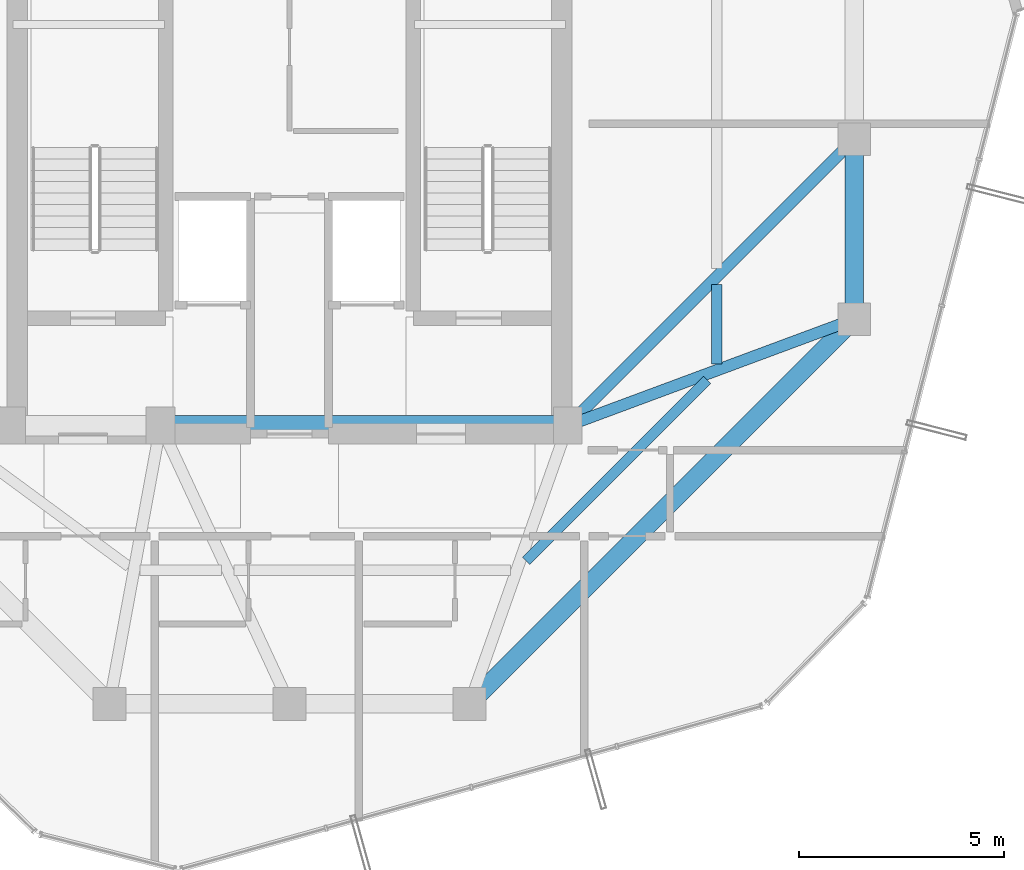
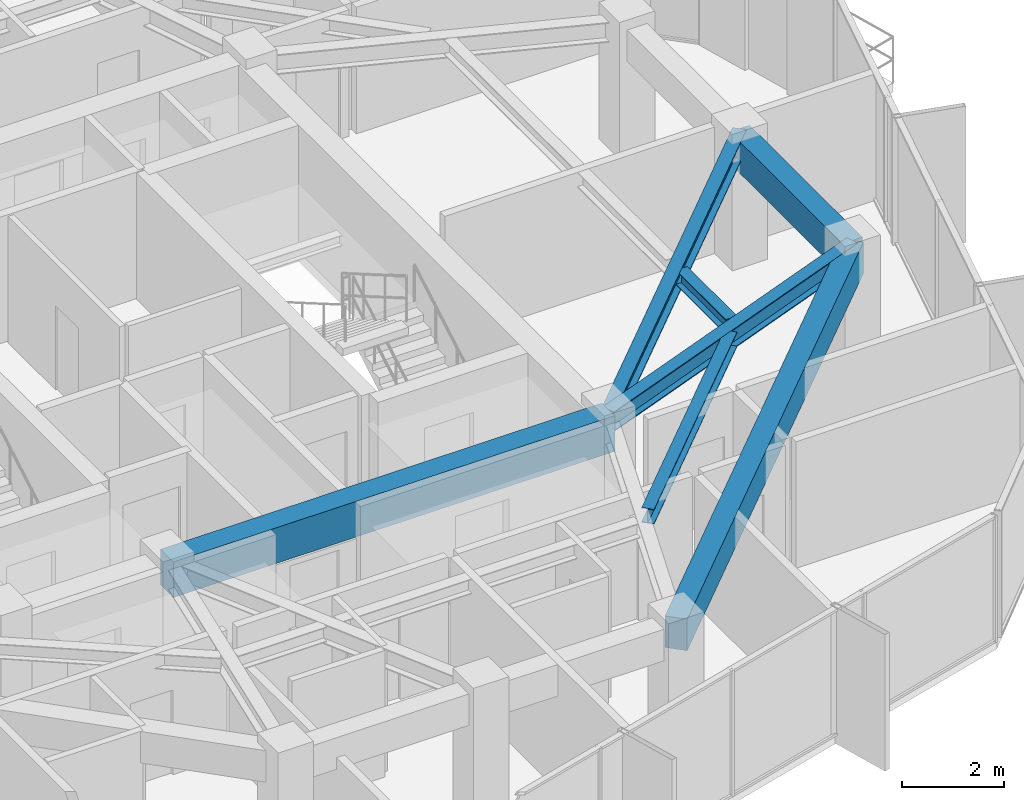
# One storey, part 11 of 29: 7 beams.
"""IFC4 building model written with IfcOpenShell, lengths in metres."""

from ifc_helpers import new_model, si_unit, direction, frame, origin, origin_2d, place, context, subcontext, project, spatial, rectangle, i_section, extrude, material, material_profile, profile_set, type_object, element, save


model = new_model("IFC4")

# Units and contexts
model_context = context("Model", 3, precision=1e-05, world=origin(), true_north=direction((0.0, 1.0)))
body_context = subcontext(model_context, "Body", "Model", "MODEL_VIEW")
ifc_project = project(units=[si_unit("LENGTHUNIT", "METRE"), si_unit("AREAUNIT", "SQUARE_METRE"), si_unit("VOLUMEUNIT", "CUBIC_METRE"), si_unit("PLANEANGLEUNIT", "RADIAN"), si_unit("MASSUNIT", "GRAM", prefix="KILO")], contexts=[model_context])

# Site, building, storey
site_placement = place(None, origin())
site = spatial("IfcSite", under=ifc_project, at=site_placement, CompositionType="ELEMENT")
building_placement = place(site_placement, origin())
building = spatial("IfcBuilding", under=site, at=building_placement, Name="Veraguas Prism Commons", CompositionType="ELEMENT")
storey_placement = place(building_placement, frame((0.0, 0.0, 257.75)))
storey = spatial("IfcBuildingStorey", under=building, at=storey_placement, Name="L73", CompositionType="ELEMENT", Elevation=257.75)

# Beams
ifc_material_1 = material(Name="Concrete C50/60", Category="concrete")
ifc_material_profile_1 = material_profile(ifc_material_1, rectangle(XDim=0.5, YDim=0.85009765625, at=origin_2d()), Name="RC500X850")
ifc_profile_set_1 = profile_set([ifc_material_profile_1], Name="Concrete C50/60")
beam_type_1 = type_object("IfcBeamType", Name="Core Coupling Beam RC 500x850", PredefinedType="BEAM", material=ifc_profile_set_1)
beam_1_placement = place(storey_placement, frame((20.85009765625, 17.0, 2.590087890625), z_axis=(1.0, 0.0, 0.0), x_axis=(0.0, 1.0, 0.0)))
element("IfcBeam", 1, at=beam_1_placement, inside=storey, type_object=beam_type_1, Name="Core Coupling Beam L73-CRS2", PredefinedType="BEAM", context=body_context, shape_type="SweptSolid", body=[
    extrude(rectangle(XDim=0.5, YDim=0.85009765625, at=origin_2d()), origin(), (0.0, 0.0, 1.0), 9.949951171875),
])
ifc_material_profile_2 = material_profile(ifc_material_1, rectangle(XDim=0.449951171875, YDim=0.75, at=origin_2d()), Name="RC450X750")
ifc_profile_set_2 = profile_set([ifc_material_profile_2], Name="Concrete C50/60")
beam_type_2 = type_object("IfcBeamType", Name="Perimeter Spandrel Upper RC 450x750", PredefinedType="SPANDREL", material=ifc_profile_set_2)
beam_2_placement = place(storey_placement, frame((37.800048828125, 19.60009765625, 2.639892578125), z_axis=(0.0, 1.0, 0.0), x_axis=(-1.0, 0.0, 0.0)))
element("IfcBeam", 2, at=beam_2_placement, inside=storey, type_object=beam_type_2, Name="Perimeter Spandrel Beam L73-SP01", PredefinedType="SPANDREL", context=body_context, shape_type="SweptSolid", body=[
    extrude(rectangle(XDim=0.449951171875, YDim=0.75, at=origin_2d()), origin(), (0.0, 0.0, 1.0), 4.39990234375),
])
beam_3_placement = place(storey_placement, frame((28.39990234375, 10.199951171875, 2.639892578125), z_axis=(0.707106781187, 0.707106781187, 0.0), x_axis=(-0.707106781187, 0.707106781187, 0.0)))
element("IfcBeam", 3, at=beam_3_placement, inside=storey, type_object=beam_type_2, Name="Perimeter Spandrel Beam L73-SP12", PredefinedType="SPANDREL", context=body_context, shape_type="SweptSolid", body=[
    extrude(rectangle(XDim=0.449951171875, YDim=0.75, at=origin_2d()), origin(), (0.0, 0.0, 1.0), 13.293701171875),
])
ifc_material_2 = material(Name="Steel ASTM A992 Grade 50", Category="steel")
ifc_material_profile_3 = material_profile(ifc_material_2, i_section(OverallWidth=0.25390625, OverallDepth=0.35302734375, WebThickness=0.009521484375, FlangeThickness=0.016357421875, at=origin_2d()), Name="W360X91")
ifc_profile_set_3 = profile_set([ifc_material_profile_3], Name="Steel ASTM A992 Grade 50")
beam_type_3 = type_object("IfcBeamType", Name="Upper Floor Joist W360x91", PredefinedType="JOIST", material=ifc_profile_set_3)
beam_4_placement = place(storey_placement, frame((34.43994140625, 18.500732421875, 2.83837890625), z_axis=(0.0, 1.0, 0.0), x_axis=(-1.0, 0.0, 0.0)))
element("IfcBeam", 4, at=beam_4_placement, inside=storey, type_object=beam_type_3, Name="Composite Floor Joist L73-JS01", PredefinedType="JOIST", context=body_context, shape_type="SweptSolid", body=[
    extrude(i_section(OverallWidth=0.25390625, OverallDepth=0.35302734375, WebThickness=0.009521484375, FlangeThickness=0.016357421875, at=origin_2d()), origin(), (0.0, 0.0, 1.0), 1.94189453125),
])
beam_5_placement = place(storey_placement, frame((29.780517578125, 13.692626953125, 2.83837890625), z_axis=(0.707126297541, 0.707087264294, 0.0), x_axis=(-0.707087264294, 0.707126297541, 0.0)))
element("IfcBeam", 5, at=beam_5_placement, inside=storey, type_object=beam_type_3, Name="Composite Floor Joist L73-JS12", PredefinedType="JOIST", context=body_context, shape_type="SweptSolid", body=[
    extrude(i_section(OverallWidth=0.25390625, OverallDepth=0.35302734375, WebThickness=0.009521484375, FlangeThickness=0.016357421875, at=origin_2d()), origin(), (0.0, 0.0, 1.0), 6.254638671875),
])
ifc_material_profile_4 = material_profile(ifc_material_2, i_section(OverallWidth=0.282958984375, OverallDepth=0.471923828125, WebThickness=0.013671875, FlangeThickness=0.022216796875, at=origin_2d()), Name="W460X144")
ifc_profile_set_4 = profile_set([ifc_material_profile_4], Name="Steel ASTM A992 Grade 50")
beam_type_4 = type_object("IfcBeamType", Name="Zone 4 Radial Girder W460x144", PredefinedType="BEAM", material=ifc_profile_set_4)
beam_6_placement = place(storey_placement, frame((37.800048828125, 19.60009765625, 2.779052734375), z_axis=(-0.937421003341, -0.348198021958, 0.0), x_axis=(0.348198021958, -0.937421003341, 0.0)))
element("IfcBeam", 6, at=beam_6_placement, inside=storey, type_object=beam_type_4, Name="Radial Floor Girder L73-RD01", PredefinedType="BEAM", context=body_context, shape_type="SweptSolid", body=[
    extrude(i_section(OverallWidth=0.282958984375, OverallDepth=0.471923828125, WebThickness=0.013671875, FlangeThickness=0.022216796875, at=origin_2d()), origin(), (0.0, 0.0, 1.0), 7.46728515625),
])
beam_7_placement = place(storey_placement, frame((37.800048828125, 24.0, 2.779052734375), z_axis=(-0.707106781187, -0.707106781187, 0.0), x_axis=(0.707106781187, -0.707106781187, 0.0)))
element("IfcBeam", 7, at=beam_7_placement, inside=storey, type_object=beam_type_4, Name="Radial Floor Girder L73-RD02", PredefinedType="BEAM", context=body_context, shape_type="SweptSolid", body=[
    extrude(i_section(OverallWidth=0.282958984375, OverallDepth=0.471923828125, WebThickness=0.013671875, FlangeThickness=0.022216796875, at=origin_2d()), origin(), (0.0, 0.0, 1.0), 9.8994140625),
])

save(model, "model.ifc")
